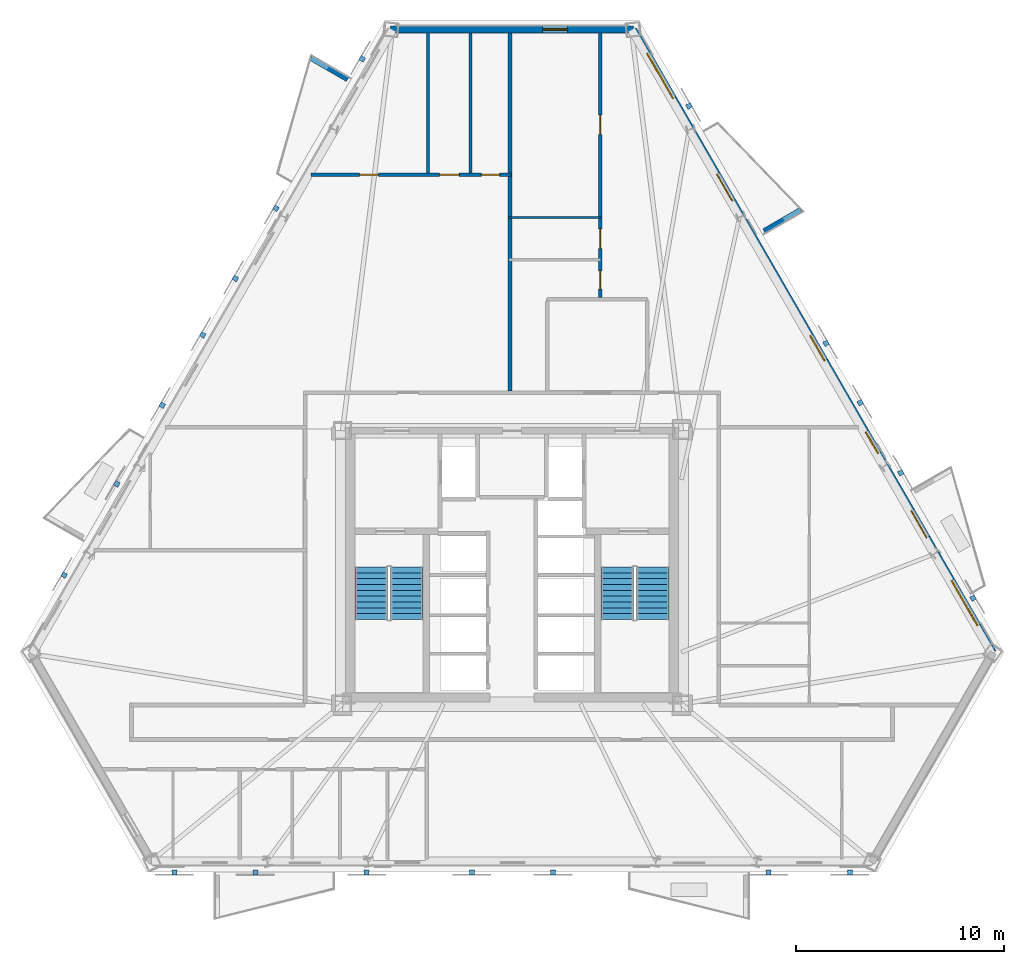
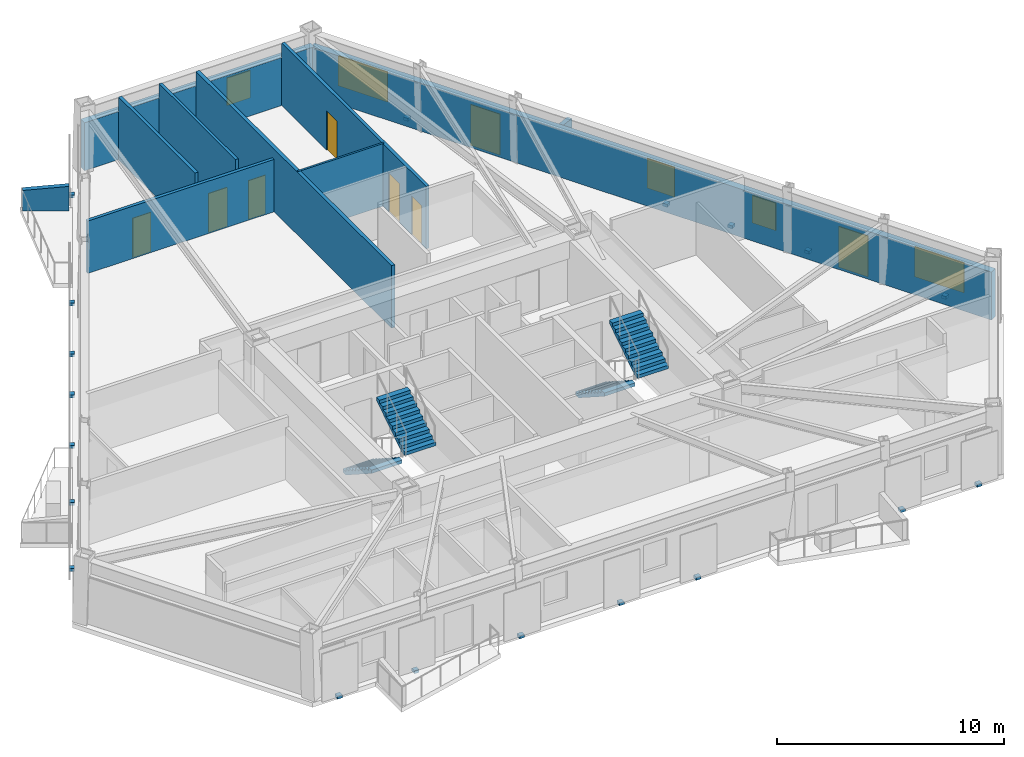
# One storey, part 5 of 9: 19 discrete accessories, 10 walls, 8 doors, 5 windows, 4 stair flights, 13 openings, 2 elements without a shape of their own.
"""IFC4 building model written with IfcOpenShell, lengths in metres."""

from ifc_helpers import new_model, si_unit, direction, frame, frame_2d, origin, origin_2d, place, context, subcontext, project, spatial, polyline, rectangle, outline, extrude, material, layer, layer_set, type_object, element, fill, aggregate, save


model = new_model("IFC4")

# Units and contexts
model_context = context("Model", 3, precision=1e-05, world=origin(), true_north=direction((0.0, 1.0)))
body_context = subcontext(model_context, "Body", "Model", "MODEL_VIEW")
ifc_project = project(units=[si_unit("LENGTHUNIT", "METRE"), si_unit("AREAUNIT", "SQUARE_METRE"), si_unit("VOLUMEUNIT", "CUBIC_METRE"), si_unit("PLANEANGLEUNIT", "RADIAN"), si_unit("MASSUNIT", "GRAM", prefix="KILO")], contexts=[model_context])

# Site, building, storey
site_placement = place(None, origin())
site = spatial("IfcSite", under=ifc_project, at=site_placement, CompositionType="ELEMENT")
building_placement = place(site_placement, origin())
building = spatial("IfcBuilding", under=site, at=building_placement, Name="Oramaril Tower", CompositionType="ELEMENT")
storey_placement = place(building_placement, frame((0.0, 0.0, 104.10009765625)))
storey = spatial("IfcBuildingStorey", under=building, at=storey_placement, Name="L27", CompositionType="ELEMENT", Elevation=104.10009765625)

# Wall, openings, doors, windows
ifc_material_1 = material(Name="Warm Cream Limestone", Category="masonry")
ifc_layer_1 = layer(ifc_material_1, 0.340087890625)
ifc_layer_set_1 = layer_set([ifc_layer_1], Name="WT-EXT34")
wall_type_1 = type_object("IfcWallType", Name="WT-EXT34", PredefinedType="SOLIDWALL", material=ifc_layer_set_1)
wall_1_placement = place(storey_placement, frame((60.634521484375, 13.483154296875, 0.0), z_axis=(0.0, 0.0, 1.0), x_axis=(-0.499998569178, 0.866026229868, 0.0)))
wall_1 = element("IfcWall", 1, at=wall_1_placement, inside=storey, type_object=wall_type_1, Name="L27 Tower Limestone Facade Wall 4M", PredefinedType="SOLIDWALL", context=body_context, shape_type="SweptSolid", body=[
    extrude(rectangle(XDim=34.59521484375, YDim=0.340087890625, at=frame_2d((17.297607421875, 0.0))), origin(), (0.0, 0.0, 1.0), 2.577880859375),
])
opening_1_placement = place(wall_1_placement, frame((6.369384765625, 0.0, 0.0)))
opening_1 = element("IfcOpeningElement", 2, at=opening_1_placement, cuts=wall_1, Name="Opening D-L27-BAL-NE1", PredefinedType="OPENING", context=body_context, shape_type="SweptSolid", body=[
    extrude(rectangle(XDim=1.5, YDim=2.199951171875, at=frame_2d((0.75, 1.10009765625))), frame((0.0, 0.169921875, 0.0), z_axis=(0.0, -1.0, 0.0), x_axis=(1.0, 0.0, 0.0)), (0.0, 0.0, 1.0), 0.340087890625),
])
opening_2_placement = place(wall_1_placement, frame((25.06103515625, 0.0, 0.0)))
opening_2 = element("IfcOpeningElement", 3, at=opening_2_placement, cuts=wall_1, Name="Opening D-L27-BAL-NE2", PredefinedType="OPENING", context=body_context, shape_type="SweptSolid", body=[
    extrude(rectangle(XDim=1.5, YDim=2.199951171875, at=frame_2d((0.75, 1.10009765625))), frame((0.0, 0.169921875, 0.0), z_axis=(0.0, -1.0, 0.0), x_axis=(1.0, 0.0, 0.0)), (0.0, 0.0, 1.0), 0.340087890625),
])
opening_3_placement = place(wall_1_placement, frame((1.48828125, 0.0, 0.85009765625)))
opening_3 = element("IfcOpeningElement", 4, at=opening_3_placement, cuts=wall_1, Name="Opening WN-11", PredefinedType="OPENING", context=body_context, shape_type="SweptSolid", body=[
    extrude(rectangle(XDim=2.5, YDim=1.617919921875, at=frame_2d((1.25, 0.80908203125))), frame((0.0, 0.169921875, 0.0), z_axis=(0.0, -1.0, 0.0), x_axis=(1.0, 0.0, 0.0)), (0.0, 0.0, 1.0), 0.340087890625),
])
opening_4_placement = place(wall_1_placement, frame((11.047119140625, 0.0, 0.85009765625)))
opening_4 = element("IfcOpeningElement", 5, at=opening_4_placement, cuts=wall_1, Name="Opening WN-09", PredefinedType="OPENING", context=body_context, shape_type="SweptSolid", body=[
    extrude(rectangle(XDim=1.199951171875, YDim=1.47998046875, at=frame_2d((0.60009765625, 0.739990234375))), frame((0.0, 0.169921875, 0.0), z_axis=(0.0, -1.0, 0.0), x_axis=(1.0, 0.0, 0.0)), (0.0, 0.0, 1.0), 0.340087890625),
])
opening_5_placement = place(wall_1_placement, frame((16.194091796875, 0.0, 0.85009765625)))
opening_5 = element("IfcOpeningElement", 6, at=opening_5_placement, cuts=wall_1, Name="Opening WN-08", PredefinedType="OPENING", context=body_context, shape_type="SweptSolid", body=[
    extrude(rectangle(XDim=1.39990234375, YDim=1.60009765625, at=frame_2d((0.699951171875, 0.800048828125))), frame((0.0, 0.169921875, 0.0), z_axis=(0.0, -1.0, 0.0), x_axis=(1.0, 0.0, 0.0)), (0.0, 0.0, 1.0), 0.340087890625),
])
opening_6_placement = place(wall_1_placement, frame((30.77197265625, 0.0, 0.85009765625)))
opening_6 = element("IfcOpeningElement", 7, at=opening_6_placement, cuts=wall_1, Name="Opening WN-11", PredefinedType="OPENING", context=body_context, shape_type="SweptSolid", body=[
    extrude(rectangle(XDim=2.5, YDim=1.617919921875, at=frame_2d((1.25, 0.80908203125))), frame((0.0, 0.169921875, 0.0), z_axis=(0.0, -1.0, 0.0), x_axis=(1.0, 0.0, 0.0)), (0.0, 0.0, 1.0), 0.340087890625),
])
ifc_material_2 = material(Name="Anodised Aluminium 6063-T6", Category="aluminium")
door_type_1 = type_object("IfcDoorType", Name="DT-BAL", OperationType="NOTDEFINED", PredefinedType="DOOR", material=ifc_material_2)
door_1_placement = place(opening_1_placement, origin())
door_1 = element("IfcDoor", 8, at=door_1_placement, inside=storey, type_object=door_type_1, Name="L27 Balcony Glazed Door L27-BAL-NE1", OperationType="SINGLE_SWING_RIGHT", OverallHeight=2.199951171875, OverallWidth=1.5, PredefinedType="DOOR", context=body_context, shape_type="SweptSolid", body=[
    extrude(rectangle(XDim=1.5, YDim=2.199951171875, at=frame_2d((0.75, 1.10009765625))), frame((0.0, 0.02490234375, 0.0), z_axis=(0.0, -1.0, 0.0), x_axis=(1.0, 0.0, 0.0)), (0.0, 0.0, 1.0), 0.050048828125),
])
fill(opening_1, door_1)
door_2_placement = place(opening_2_placement, origin())
door_2 = element("IfcDoor", 9, at=door_2_placement, inside=storey, type_object=door_type_1, Name="L27 Balcony Glazed Door L27-BAL-NE2", OperationType="SINGLE_SWING_LEFT", OverallHeight=2.199951171875, OverallWidth=1.5, PredefinedType="DOOR", context=body_context, shape_type="SweptSolid", body=[
    extrude(rectangle(XDim=1.5, YDim=2.199951171875, at=frame_2d((0.75, 1.10009765625))), frame((0.0, 0.02490234375, 0.0), z_axis=(0.0, -1.0, 0.0), x_axis=(1.0, 0.0, 0.0)), (0.0, 0.0, 1.0), 0.050048828125),
])
fill(opening_2, door_2)
ifc_material_3 = material(Name="Coastal Low-E Insulated Glass", Category="glass")
window_type_1 = type_object("IfcWindowType", Name="WNT-08", PartitioningType="SINGLE_PANEL", PredefinedType="WINDOW", material=ifc_material_3)
window_1_placement = place(opening_5_placement, origin())
window_1 = element("IfcWindow", 10, at=window_1_placement, inside=storey, type_object=window_type_1, Name="L27 Chicago Bay Window WN-08", OverallHeight=1.60009765625, OverallWidth=1.39990234375, PartitioningType="SINGLE_PANEL", PredefinedType="WINDOW", context=body_context, shape_type="SweptSolid", body=[
    extrude(rectangle(XDim=1.39990234375, YDim=1.60009765625, at=frame_2d((0.699951171875, 0.800048828125))), frame((0.0, 0.030029296875, 0.0), z_axis=(0.0, -1.0, 0.0), x_axis=(1.0, 0.0, 0.0)), (0.0, 0.0, 1.0), 0.06005859375),
])
fill(opening_5, window_1)
ifc_material_4 = material(Name="Coastal Low-E Insulated Glass", Category="glass")
window_type_2 = type_object("IfcWindowType", Name="WNT-09", PartitioningType="SINGLE_PANEL", PredefinedType="WINDOW", material=ifc_material_4)
window_2_placement = place(opening_4_placement, origin())
window_2 = element("IfcWindow", 11, at=window_2_placement, inside=storey, type_object=window_type_2, Name="L27 Chicago Bay Window WN-09", OverallHeight=1.47998046875, OverallWidth=1.199951171875, PartitioningType="SINGLE_PANEL", PredefinedType="WINDOW", context=body_context, shape_type="SweptSolid", body=[
    extrude(rectangle(XDim=1.199951171875, YDim=1.47998046875, at=frame_2d((0.60009765625, 0.739990234375))), frame((0.0, 0.030029296875, 0.0), z_axis=(0.0, -1.0, 0.0), x_axis=(1.0, 0.0, 0.0)), (0.0, 0.0, 1.0), 0.06005859375),
])
fill(opening_4, window_2)
ifc_material_5 = material(Name="Coastal Low-E Insulated Glass", Category="glass")
window_type_3 = type_object("IfcWindowType", Name="WNT-11", PartitioningType="SINGLE_PANEL", PredefinedType="WINDOW", material=ifc_material_5)
window_3_placement = place(opening_3_placement, origin())
window_3 = element("IfcWindow", 12, at=window_3_placement, inside=storey, type_object=window_type_3, Name="L27 Chicago Bay Window WN-11", OverallHeight=1.617919921875, OverallWidth=2.5, PartitioningType="SINGLE_PANEL", PredefinedType="WINDOW", context=body_context, shape_type="SweptSolid", body=[
    extrude(rectangle(XDim=2.5, YDim=1.617919921875, at=frame_2d((1.25, 0.80908203125))), frame((0.0, 0.030029296875, 0.0), z_axis=(0.0, -1.0, 0.0), x_axis=(1.0, 0.0, 0.0)), (0.0, 0.0, 1.0), 0.06005859375),
])
fill(opening_3, window_3)
window_4_placement = place(opening_6_placement, origin())
window_4 = element("IfcWindow", 13, at=window_4_placement, inside=storey, type_object=window_type_3, Name="L27 Chicago Bay Window WN-11", OverallHeight=1.617919921875, OverallWidth=2.5, PartitioningType="SINGLE_PANEL", PredefinedType="WINDOW", context=body_context, shape_type="SweptSolid", body=[
    extrude(rectangle(XDim=2.5, YDim=1.617919921875, at=frame_2d((1.25, 0.80908203125))), frame((0.0, 0.030029296875, 0.0), z_axis=(0.0, -1.0, 0.0), x_axis=(1.0, 0.0, 0.0)), (0.0, 0.0, 1.0), 0.06005859375),
])
fill(opening_6, window_4)

# Wall, opening, window
wall_2_placement = place(storey_placement, frame((43.3369140625, 43.443603515625, 0.0), z_axis=(0.0, 0.0, 1.0), x_axis=(-1.0, 0.0, 0.0)))
wall_2 = element("IfcWall", 14, at=wall_2_placement, inside=storey, type_object=wall_type_1, Name="L27 Tower Limestone Facade Wall 5M", PredefinedType="SOLIDWALL", context=body_context, shape_type="SweptSolid", body=[
    extrude(rectangle(XDim=11.673828125, YDim=0.340087890625, at=frame_2d((5.8369140625, 0.0))), origin(), (0.0, 0.0, 1.0), 2.577880859375),
])
opening_7_placement = place(wall_2_placement, frame((3.157958984375, 0.0, 0.85009765625)))
opening_7 = element("IfcOpeningElement", 15, at=opening_7_placement, cuts=wall_2, Name="Opening WN-09", PredefinedType="OPENING", context=body_context, shape_type="SweptSolid", body=[
    extrude(rectangle(XDim=1.199951171875, YDim=1.47998046875, at=frame_2d((0.60009765625, 0.739990234375))), frame((0.0, 0.169921875, 0.0), z_axis=(0.0, -1.0, 0.0), x_axis=(1.0, 0.0, 0.0)), (0.0, 0.0, 1.0), 0.340087890625),
])
window_5_placement = place(opening_7_placement, origin())
window_5 = element("IfcWindow", 16, at=window_5_placement, inside=storey, type_object=window_type_2, Name="L27 Apartment Bedroom Window WN-09", OverallHeight=1.47998046875, OverallWidth=1.199951171875, PartitioningType="SINGLE_PANEL", PredefinedType="WINDOW", context=body_context, shape_type="SweptSolid", body=[
    extrude(rectangle(XDim=1.199951171875, YDim=1.47998046875, at=frame_2d((0.60009765625, 0.739990234375))), frame((0.0, 0.030029296875, 0.0), z_axis=(0.0, -1.0, 0.0), x_axis=(1.0, 0.0, 0.0)), (0.0, 0.0, 1.0), 0.06005859375),
])
fill(opening_7, window_5)

# Walls
ifc_material_6 = material(Name="Concrete C40/50", Category="concrete")
ifc_layer_2 = layer(ifc_material_6, 0.22998046875)
ifc_layer_set_2 = layer_set([ifc_layer_2], Name="WT-PRP23")
wall_type_2 = type_object("IfcWallType", Name="WT-PRP23", PredefinedType="PARAPET", material=ifc_layer_set_2)
for number, where, z_axis, x_axis, name in (
    (17, (49.619384765625, 33.7578125, 0.0), (0.0, 0.0, 1.0), (0.866042246008, 0.499970827278, 0.0), "L27 Trapezoidal Balcony Frame Cheek L27-BAL-NE2-L"),
    (18, (29.587890625, 41.04541015625, 0.0), (0.0, 0.0, 1.0), (-0.866012356593, 0.500022597718, 0.0), "L27 Trapezoidal Balcony Frame Cheek L27-BAL-NW1-L"),
):
    element("IfcWall", number, at=place(storey_placement, frame(where, z_axis=z_axis, x_axis=x_axis)), inside=storey, type_object=wall_type_2, Name=name, PredefinedType="PARAPET", context=body_context, shape_type="SweptSolid", body=[
        extrude(outline(polyline([(0.0, 0.0), (2.0419921875, 0.0), (2.0419921875, 1.099853515625), (0.0, 1.31982421875), (0.0, 0.0)])), frame((0.0, 0.114990234375, 0.0), z_axis=(0.0, -1.0, 0.0), x_axis=(1.0, 0.0, 0.0)), (0.0, 0.0, 1.0), 0.22998046875),
    ])
ifc_material_7 = material(Name="Acoustic Gypsum Board Partition")
ifc_layer_3 = layer(ifc_material_7, 0.10009765625)
ifc_layer_set_3 = layer_set([ifc_layer_3], Name="WT-PT10")
wall_type_3 = type_object("IfcWallType", Name="WT-PT10", PredefinedType="PARTITIONING", material=ifc_layer_set_3)
wall_3_placement = place(storey_placement, frame((37.35009765625, 34.409912109375, 0.0), z_axis=(0.0, 0.0, 1.0), x_axis=(1.0, 0.0, 0.0)))
element("IfcWall", 19, at=wall_3_placement, inside=storey, type_object=wall_type_3, Name="L27 Interior Partition PT-10", PredefinedType="PARTITIONING", context=body_context, shape_type="SweptSolid", body=[
    extrude(rectangle(XDim=4.39990234375, YDim=0.10009765625, at=frame_2d((2.199951171875, 0.0))), origin(), (0.0, 0.0, 1.0), 3.35986328125),
])
ifc_material_8 = material(Name="Acoustic Gypsum Board Partition")
ifc_layer_4 = layer(ifc_material_8, 0.139892578125)
ifc_layer_set_4 = layer_set([ifc_layer_4], Name="WT-PT14")
wall_type_4 = type_object("IfcWallType", Name="WT-PT14", PredefinedType="PARTITIONING", material=ifc_layer_set_4)
wall_4_placement = place(storey_placement, frame((35.510009765625, 36.5439453125, 0.0), z_axis=(0.0, 0.0, 1.0), x_axis=(0.0, 1.0, 0.0)))
element("IfcWall", 20, at=wall_4_placement, inside=storey, type_object=wall_type_4, Name="L27 Interior Partition PT-14", PredefinedType="PARTITIONING", context=body_context, shape_type="SweptSolid", body=[
    extrude(rectangle(XDim=6.7255859375, YDim=0.139892578125, at=frame_2d((3.36279296875, 0.0))), origin(), (0.0, 0.0, 1.0), 3.35986328125),
])

# Wall, openings, doors
ifc_material_9 = material(Name="Acoustic Gypsum Board Partition")
ifc_layer_5 = layer(ifc_material_9, 0.159912109375)
ifc_layer_set_5 = layer_set([ifc_layer_5], Name="WT-PT16")
wall_type_5 = type_object("IfcWallType", Name="WT-PT16", PredefinedType="PARTITIONING", material=ifc_layer_set_5)
wall_5_placement = place(storey_placement, frame((27.83203125, 36.4599609375, 0.0), z_axis=(0.0, 0.0, 1.0), x_axis=(1.0, 0.0, 0.0)))
wall_5 = element("IfcWall", 21, at=wall_5_placement, inside=storey, type_object=wall_type_5, Name="L27 Interior Partition PT-16", PredefinedType="PARTITIONING", context=body_context, shape_type="SweptSolid", body=[
    extrude(rectangle(XDim=9.617919921875, YDim=0.159912109375, at=frame_2d((4.80908203125, 0.0))), origin(), (0.0, 0.0, 1.0), 2.81396484375),
])
opening_8_placement = place(wall_5_placement, frame((2.326171875, 0.0, 0.0)))
opening_8 = element("IfcOpeningElement", 22, at=opening_8_placement, cuts=wall_5, Name="Opening D-L27-13", PredefinedType="OPENING", context=body_context, shape_type="SweptSolid", body=[
    extrude(rectangle(XDim=0.919921875, YDim=2.1201171875, at=frame_2d((0.4599609375, 1.06005859375))), frame((0.0, 0.080078125, 0.0), z_axis=(0.0, -1.0, 0.0), x_axis=(1.0, 0.0, 0.0)), (0.0, 0.0, 1.0), 0.159912109375),
])
opening_9_placement = place(wall_5_placement, frame((6.177978515625, 0.0, 0.0)))
opening_9 = element("IfcOpeningElement", 23, at=opening_9_placement, cuts=wall_5, Name="Opening D-L27-14", PredefinedType="OPENING", context=body_context, shape_type="SweptSolid", body=[
    extrude(rectangle(XDim=0.949951171875, YDim=2.10009765625, at=frame_2d((0.47509765625, 1.050048828125))), frame((0.0, 0.080078125, 0.0), z_axis=(0.0, -1.0, 0.0), x_axis=(1.0, 0.0, 0.0)), (0.0, 0.0, 1.0), 0.159912109375),
])
opening_10_placement = place(wall_5_placement, frame((8.197998046875, 0.0, 0.0)))
opening_10 = element("IfcOpeningElement", 24, at=opening_10_placement, cuts=wall_5, Name="Opening D-L27-15", PredefinedType="OPENING", context=body_context, shape_type="SweptSolid", body=[
    extrude(rectangle(XDim=0.8798828125, YDim=2.080078125, at=frame_2d((0.43994140625, 1.0400390625))), frame((0.0, 0.080078125, 0.0), z_axis=(0.0, -1.0, 0.0), x_axis=(1.0, 0.0, 0.0)), (0.0, 0.0, 1.0), 0.159912109375),
])
ifc_material_10 = material(Name="FSC Brazilian Freijo Hardwood", Category="wood")
door_type_2 = type_object("IfcDoorType", Name="DT-BATH", OperationType="NOTDEFINED", PredefinedType="DOOR", material=ifc_material_10)
door_3_placement = place(opening_10_placement, origin())
door_3 = element("IfcDoor", 25, at=door_3_placement, inside=storey, type_object=door_type_2, Name="L27 Flat L27-U5 Bathroom Door D-L27-15", OperationType="SINGLE_SWING_LEFT", OverallHeight=2.080078125, OverallWidth=0.8798828125, PredefinedType="DOOR", context=body_context, shape_type="SweptSolid", body=[
    extrude(rectangle(XDim=0.8798828125, YDim=2.080078125, at=frame_2d((0.43994140625, 1.0400390625))), frame((0.0, 0.02490234375, 0.0), z_axis=(0.0, -1.0, 0.0), x_axis=(1.0, 0.0, 0.0)), (0.0, 0.0, 1.0), 0.050048828125),
])
fill(opening_10, door_3)
ifc_material_11 = material(Name="FSC Brazilian Freijo Hardwood", Category="wood")
door_type_3 = type_object("IfcDoorType", Name="DT-BED", OperationType="NOTDEFINED", PredefinedType="DOOR", material=ifc_material_11)
door_4_placement = place(opening_8_placement, origin())
door_4 = element("IfcDoor", 26, at=door_4_placement, inside=storey, type_object=door_type_3, Name="L27 Flat L27-U5 Master Bedroom Door D-L27-13", OperationType="SINGLE_SWING_LEFT", OverallHeight=2.1201171875, OverallWidth=0.919921875, PredefinedType="DOOR", context=body_context, shape_type="SweptSolid", body=[
    extrude(rectangle(XDim=0.919921875, YDim=2.1201171875, at=frame_2d((0.4599609375, 1.06005859375))), frame((0.0, 0.02490234375, 0.0), z_axis=(0.0, -1.0, 0.0), x_axis=(1.0, 0.0, 0.0)), (0.0, 0.0, 1.0), 0.050048828125),
])
fill(opening_8, door_4)
ifc_material_12 = material(Name="FSC Brazilian Freijo Hardwood", Category="wood")
door_type_4 = type_object("IfcDoorType", Name="DT-STDY", OperationType="NOTDEFINED", PredefinedType="DOOR", material=ifc_material_12)
door_5_placement = place(opening_9_placement, origin())
door_5 = element("IfcDoor", 27, at=door_5_placement, inside=storey, type_object=door_type_4, Name="L27 Flat L27-U5 Kitchen Door D-L27-14", OperationType="SINGLE_SWING_RIGHT", OverallHeight=2.10009765625, OverallWidth=0.949951171875, PredefinedType="DOOR", context=body_context, shape_type="SweptSolid", body=[
    extrude(rectangle(XDim=0.949951171875, YDim=2.10009765625, at=frame_2d((0.47509765625, 1.050048828125))), frame((0.0, 0.02490234375, 0.0), z_axis=(0.0, -1.0, 0.0), x_axis=(1.0, 0.0, 0.0)), (0.0, 0.0, 1.0), 0.050048828125),
])
fill(opening_9, door_5)

# Wall
wall_6_placement = place(storey_placement, frame((33.4599609375, 36.5439453125, 0.0), z_axis=(0.0, 0.0, 1.0), x_axis=(0.0, 1.0, 0.0)))
element("IfcWall", 28, at=wall_6_placement, inside=storey, type_object=wall_type_5, Name="L27 Interior Partition PT-16", PredefinedType="PARTITIONING", context=body_context, shape_type="SweptSolid", body=[
    extrude(rectangle(XDim=6.7255859375, YDim=0.159912109375, at=frame_2d((3.36279296875, 0.0))), origin(), (0.0, 0.0, 1.0), 3.35986328125),
])

# Wall, openings, doors
wall_7_placement = place(storey_placement, frame((41.75, 30.56396484375, 0.0), z_axis=(0.0, 0.0, 1.0), x_axis=(0.0, 1.0, 0.0)))
wall_7 = element("IfcWall", 29, at=wall_7_placement, inside=storey, type_object=wall_type_5, Name="L27 Interior Partition PT-16", PredefinedType="PARTITIONING", context=body_context, shape_type="SweptSolid", body=[
    extrude(rectangle(XDim=12.70556640625, YDim=0.159912109375, at=frame_2d((6.352783203125, 0.0))), origin(), (0.0, 0.0, 1.0), 3.35986328125),
])
opening_11_placement = place(wall_7_placement, frame((0.39599609375, 0.0, 0.0)))
opening_11 = element("IfcOpeningElement", 30, at=opening_11_placement, cuts=wall_7, Name="Opening D-L27-18", PredefinedType="OPENING", context=body_context, shape_type="SweptSolid", body=[
    extrude(rectangle(XDim=0.8798828125, YDim=2.080078125, at=frame_2d((0.43994140625, 1.0400390625))), frame((0.0, 0.080078125, 0.0), z_axis=(0.0, -1.0, 0.0), x_axis=(1.0, 0.0, 0.0)), (0.0, 0.0, 1.0), 0.159912109375),
])
opening_12_placement = place(wall_7_placement, frame((2.345947265625, 0.0, 0.0)))
opening_12 = element("IfcOpeningElement", 31, at=opening_12_placement, cuts=wall_7, Name="Opening D-L27-19", PredefinedType="OPENING", context=body_context, shape_type="SweptSolid", body=[
    extrude(rectangle(XDim=0.949951171875, YDim=2.10009765625, at=frame_2d((0.47509765625, 1.050048828125))), frame((0.0, 0.080078125, 0.0), z_axis=(0.0, -1.0, 0.0), x_axis=(1.0, 0.0, 0.0)), (0.0, 0.0, 1.0), 0.159912109375),
])
opening_13_placement = place(wall_7_placement, frame((7.8427734375, 0.0, 0.0)))
opening_13 = element("IfcOpeningElement", 32, at=opening_13_placement, cuts=wall_7, Name="Opening D-L27-20", PredefinedType="OPENING", context=body_context, shape_type="SweptSolid", body=[
    extrude(rectangle(XDim=0.919921875, YDim=2.1201171875, at=frame_2d((0.4599609375, 1.06005859375))), frame((0.0, 0.080078125, 0.0), z_axis=(0.0, -1.0, 0.0), x_axis=(1.0, 0.0, 0.0)), (0.0, 0.0, 1.0), 0.159912109375),
])
door_6_placement = place(opening_11_placement, origin())
door_6 = element("IfcDoor", 33, at=door_6_placement, inside=storey, type_object=door_type_2, Name="L27 Flat L27-U6 Bathroom Door D-L27-18", OperationType="SINGLE_SWING_RIGHT", OverallHeight=2.080078125, OverallWidth=0.8798828125, PredefinedType="DOOR", context=body_context, shape_type="SweptSolid", body=[
    extrude(rectangle(XDim=0.8798828125, YDim=2.080078125, at=frame_2d((0.43994140625, 1.0400390625))), frame((0.0, 0.02490234375, 0.0), z_axis=(0.0, -1.0, 0.0), x_axis=(1.0, 0.0, 0.0)), (0.0, 0.0, 1.0), 0.050048828125),
])
fill(opening_11, door_6)
door_7_placement = place(opening_13_placement, origin())
door_7 = element("IfcDoor", 34, at=door_7_placement, inside=storey, type_object=door_type_3, Name="L27 Flat L27-U6 Master Bedroom Door D-L27-20", OperationType="SINGLE_SWING_RIGHT", OverallHeight=2.1201171875, OverallWidth=0.919921875, PredefinedType="DOOR", context=body_context, shape_type="SweptSolid", body=[
    extrude(rectangle(XDim=0.919921875, YDim=2.1201171875, at=frame_2d((0.4599609375, 1.06005859375))), frame((0.0, 0.02490234375, 0.0), z_axis=(0.0, -1.0, 0.0), x_axis=(1.0, 0.0, 0.0)), (0.0, 0.0, 1.0), 0.050048828125),
])
fill(opening_13, door_7)
door_8_placement = place(opening_12_placement, origin())
door_8 = element("IfcDoor", 35, at=door_8_placement, inside=storey, type_object=door_type_4, Name="L27 Flat L27-U6 Kitchen Door D-L27-19", OperationType="SINGLE_SWING_LEFT", OverallHeight=2.10009765625, OverallWidth=0.949951171875, PredefinedType="DOOR", context=body_context, shape_type="SweptSolid", body=[
    extrude(rectangle(XDim=0.949951171875, YDim=2.10009765625, at=frame_2d((0.47509765625, 1.050048828125))), frame((0.0, 0.02490234375, 0.0), z_axis=(0.0, -1.0, 0.0), x_axis=(1.0, 0.0, 0.0)), (0.0, 0.0, 1.0), 0.050048828125),
])
fill(opening_12, door_8)

# Wall
ifc_material_13 = material(Name="Autoclaved Cellular Concrete Block", Category="concrete")
ifc_layer_6 = layer(ifc_material_13, 0.179931640625)
ifc_layer_set_6 = layer_set([ifc_layer_6], Name="WT-PT18")
wall_type_6 = type_object("IfcWallType", Name="WT-PT18", PredefinedType="PARTITIONING", material=ifc_layer_set_6)
wall_8_placement = place(storey_placement, frame((37.39990234375, 26.06396484375, 0.0), z_axis=(0.0, 0.0, 1.0), x_axis=(0.0, 1.0, 0.0)))
element("IfcWall", 36, at=wall_8_placement, inside=storey, type_object=wall_type_6, Name="L27 Interior Partition PT-18", PredefinedType="PARTITIONING", context=body_context, shape_type="SweptSolid", body=[
    extrude(rectangle(XDim=17.20556640625, YDim=0.179931640625, at=frame_2d((8.602783203125, 0.0))), origin(), (0.0, 0.0, 1.0), 3.35986328125),
])

# Stair, stair flights
ifc_material_14 = material(Name="Concrete C50/60", Category="concrete")
stair_type = type_object("IfcStairType", Name="STT-DG-3600", PredefinedType="HALF_TURN_STAIR", material=ifc_material_14)
stair_1_placement = place(storey_placement, origin())
stair_1 = element("IfcStair", 37, at=stair_1_placement, inside=storey, type_object=stair_type, Name="L27 Protected PFP Exit Stair ST-1", PredefinedType="HALF_TURN_STAIR")
ifc_material_15 = material(Name="Concrete C50/60", Category="concrete")
stair_flight_type = type_object("IfcStairFlightType", Name="SFT-DG-3600", PredefinedType="STRAIGHT", material=ifc_material_15)
stair_flight_1_placement = place(storey_placement, frame((30.72998046875, 17.590087890625, 0.0), z_axis=(0.0, 0.0, 1.0), x_axis=(0.0, -1.0, 0.0)))
stair_flight_1 = element("IfcStairFlight", 38, at=stair_flight_1_placement, type_object=stair_flight_type, Name="ST-1 flight 1", NumberOfRisers=10, NumberOfTreads=9, PredefinedType="STRAIGHT", RiserHeight=0.18, TreadLength=0.28, context=body_context, shape_type="SweptSolid", body=[
    extrude(outline(polyline([(0.0, 0.0), (0.0, 0.179931640625), (0.280029296875, 0.179931640625), (0.280029296875, 0.360107421875), (0.56005859375, 0.360107421875), (0.56005859375, 0.5400390625), (0.840087890625, 0.5400390625), (0.840087890625, 0.719970703125), (1.1201171875, 0.719970703125), (1.1201171875, 0.89990234375), (1.39990234375, 0.89990234375), (1.39990234375, 1.080078125), (1.679931640625, 1.080078125), (1.679931640625, 1.260009765625), (1.9599609375, 1.260009765625), (1.9599609375, 1.43994140625), (2.239990234375, 1.43994140625), (2.239990234375, 1.6201171875), (2.52001953125, 1.6201171875), (2.52001953125, 1.800048828125), (2.52001953125, 1.44189453125), (0.277099609375, 0.0), (0.0, 0.0)])), frame((0.0, 0.780029296875, 0.0), z_axis=(0.0, -1.0, 0.0), x_axis=(1.0, 0.0, 0.0)), (0.0, 0.0, 1.0), 1.56005859375),
])
stair_flight_2_placement = place(storey_placement, frame((32.43994140625, 15.070068359375, 1.7998046875), z_axis=(0.0, 0.0, 1.0), x_axis=(0.0, 1.0, 0.0)))
stair_flight_2 = element("IfcStairFlight", 39, at=stair_flight_2_placement, type_object=stair_flight_type, Name="ST-1 flight 2", NumberOfRisers=10, NumberOfTreads=9, PredefinedType="STRAIGHT", RiserHeight=0.18, TreadLength=0.28, context=body_context, shape_type="SweptSolid", body=[
    extrude(outline(polyline([(0.0, 0.0), (0.0, 0.179931640625), (0.280029296875, 0.179931640625), (0.280029296875, 0.360107421875), (0.56005859375, 0.360107421875), (0.56005859375, 0.5400390625), (0.840087890625, 0.5400390625), (0.840087890625, 0.719970703125), (1.1201171875, 0.719970703125), (1.1201171875, 0.89990234375), (1.39990234375, 0.89990234375), (1.39990234375, 1.080078125), (1.679931640625, 1.080078125), (1.679931640625, 1.260009765625), (1.9599609375, 1.260009765625), (1.9599609375, 1.43994140625), (2.239990234375, 1.43994140625), (2.239990234375, 1.6201171875), (2.52001953125, 1.6201171875), (2.52001953125, 1.800048828125), (2.52001953125, 1.44189453125), (0.277099609375, 0.0), (0.0, 0.0)])), frame((0.0, 0.780029296875, 0.0), z_axis=(0.0, -1.0, 0.0), x_axis=(1.0, 0.0, 0.0)), (0.0, 0.0, 1.0), 1.56005859375),
])
aggregate(stair_1, [stair_flight_1, stair_flight_2])

stair_2_placement = place(storey_placement, origin())
stair_2 = element("IfcStair", 40, at=stair_2_placement, inside=storey, type_object=stair_type, Name="L27 Protected PFP Exit Stair ST-2", PredefinedType="HALF_TURN_STAIR")
stair_flight_3_placement = place(storey_placement, frame((42.56005859375, 17.590087890625, 0.0), z_axis=(0.0, 0.0, 1.0), x_axis=(0.0, -1.0, 0.0)))
stair_flight_3 = element("IfcStairFlight", 41, at=stair_flight_3_placement, type_object=stair_flight_type, Name="ST-2 flight 1", NumberOfRisers=10, NumberOfTreads=9, PredefinedType="STRAIGHT", RiserHeight=0.18, TreadLength=0.28, context=body_context, shape_type="SweptSolid", body=[
    extrude(outline(polyline([(0.0, 0.0), (0.0, 0.179931640625), (0.280029296875, 0.179931640625), (0.280029296875, 0.360107421875), (0.56005859375, 0.360107421875), (0.56005859375, 0.5400390625), (0.840087890625, 0.5400390625), (0.840087890625, 0.719970703125), (1.1201171875, 0.719970703125), (1.1201171875, 0.89990234375), (1.39990234375, 0.89990234375), (1.39990234375, 1.080078125), (1.679931640625, 1.080078125), (1.679931640625, 1.260009765625), (1.9599609375, 1.260009765625), (1.9599609375, 1.43994140625), (2.239990234375, 1.43994140625), (2.239990234375, 1.6201171875), (2.52001953125, 1.6201171875), (2.52001953125, 1.800048828125), (2.52001953125, 1.44189453125), (0.277099609375, 0.0), (0.0, 0.0)])), frame((0.0, 0.780029296875, 0.0), z_axis=(0.0, -1.0, 0.0), x_axis=(1.0, 0.0, 0.0)), (0.0, 0.0, 1.0), 1.56005859375),
])
stair_flight_4_placement = place(storey_placement, frame((44.27001953125, 15.070068359375, 1.7998046875), z_axis=(0.0, 0.0, 1.0), x_axis=(0.0, 1.0, 0.0)))
stair_flight_4 = element("IfcStairFlight", 42, at=stair_flight_4_placement, type_object=stair_flight_type, Name="ST-2 flight 2", NumberOfRisers=10, NumberOfTreads=9, PredefinedType="STRAIGHT", RiserHeight=0.18, TreadLength=0.28, context=body_context, shape_type="SweptSolid", body=[
    extrude(outline(polyline([(0.0, 0.0), (0.0, 0.179931640625), (0.280029296875, 0.179931640625), (0.280029296875, 0.360107421875), (0.56005859375, 0.360107421875), (0.56005859375, 0.5400390625), (0.840087890625, 0.5400390625), (0.840087890625, 0.719970703125), (1.1201171875, 0.719970703125), (1.1201171875, 0.89990234375), (1.39990234375, 0.89990234375), (1.39990234375, 1.080078125), (1.679931640625, 1.080078125), (1.679931640625, 1.260009765625), (1.9599609375, 1.260009765625), (1.9599609375, 1.43994140625), (2.239990234375, 1.43994140625), (2.239990234375, 1.6201171875), (2.52001953125, 1.6201171875), (2.52001953125, 1.800048828125), (2.52001953125, 1.44189453125), (0.277099609375, 0.0), (0.0, 0.0)])), frame((0.0, 0.780029296875, 0.0), z_axis=(0.0, -1.0, 0.0), x_axis=(1.0, 0.0, 0.0)), (0.0, 0.0, 1.0), 1.56005859375),
])
aggregate(stair_2, [stair_flight_3, stair_flight_4])

# Discrete accessories
for number, where, z_axis, x_axis, name in (
    (43, (35.57275390625, 2.893310546875, -0.14013671875), (0.0, 0.0, 1.0), (1.0, 0.0, 0.0), "L27 Solar Screen Slab Bracket"),
    (44, (39.472900390625, 2.893310546875, -0.14013671875), (0.0, 0.0, 1.0), (1.0, 0.0, 0.0), "L27 Solar Screen Slab Bracket"),
    (45, (49.84765625, 2.893310546875, -0.14013671875), (0.0, 0.0, 1.0), (1.0, 0.0, 0.0), "L27 Solar Screen Slab Bracket"),
    (46, (53.747802734375, 2.893310546875, -0.14013671875), (0.0, 0.0, 1.0), (1.0, 0.0, 0.0), "L27 Solar Screen Slab Bracket"),
    (47, (21.254150390625, 2.893310546875, -0.14013671875), (0.0, 0.0, 1.0), (1.0, 0.0, 0.0), "L27 Solar Screen Slab Bracket"),
    (48, (25.154052734375, 2.893310546875, -0.14013671875), (0.0, 0.0, 1.0), (1.0, 0.0, 0.0), "L27 Solar Screen Slab Bracket"),
    (49, (30.5048828125, 2.893310546875, -0.14013671875), (0.0, 0.0, 1.0), (1.0, 0.0, 0.0), "L27 Solar Screen Slab Bracket"),
    (50, (59.68115234375, 16.094482421875, -0.14013671875), (0.0, 0.0, 1.0), (-0.5, 0.866025403784, 0.0), "L27 Solar Screen Slab Bracket"),
    (51, (56.20166015625, 22.12109375, -0.14013671875), (0.0, 0.0, 1.0), (-0.5, 0.866025403784, 0.0), "L27 Solar Screen Slab Bracket"),
    (52, (54.251708984375, 25.49853515625, -0.14013671875), (0.0, 0.0, 1.0), (-0.5, 0.866025403784, 0.0), "L27 Solar Screen Slab Bracket"),
    (53, (52.603271484375, 28.35400390625, -0.14013671875), (0.0, 0.0, 1.0), (-0.5, 0.866025403784, 0.0), "L27 Solar Screen Slab Bracket"),
    (54, (46.014404296875, 39.76611328125, -0.14013671875), (0.0, 0.0, 1.0), (-0.5, 0.866025403784, 0.0), "L27 Solar Screen Slab Bracket"),
    (55, (15.95849609375, 17.202392578125, -0.14013671875), (0.0, 0.0, 1.0), (-0.5, -0.866025403784, 0.0), "L27 Solar Screen Slab Bracket"),
    (56, (18.4921875, 21.591064453125, -0.14013671875), (0.0, 0.0, 1.0), (-0.5, -0.866025403784, 0.0), "L27 Solar Screen Slab Bracket"),
    (57, (26.14453125, 34.84521484375, -0.14013671875), (0.0, 0.0, 1.0), (-0.5, -0.866025403784, 0.0), "L27 Solar Screen Slab Bracket"),
    (58, (24.194580078125, 31.4677734375, -0.14013671875), (0.0, 0.0, 1.0), (-0.5, -0.866025403784, 0.0), "L27 Solar Screen Slab Bracket"),
    (59, (22.625732421875, 28.75048828125, -0.14013671875), (0.0, 0.0, 1.0), (-0.5, -0.866025403784, 0.0), "L27 Solar Screen Slab Bracket"),
    (60, (20.67578125, 25.373046875, -0.14013671875), (0.0, 0.0, 1.0), (-0.5, -0.866025403784, 0.0), "L27 Solar Screen Slab Bracket"),
    (61, (30.29443359375, 42.033203125, -0.14013671875), (0.0, 0.0, 1.0), (-0.5, -0.866025403784, 0.0), "L27 Solar Screen Slab Bracket"),
):
    element("IfcDiscreteAccessory", number, at=place(storey_placement, frame(where, z_axis=z_axis, x_axis=x_axis)), inside=storey, Name=name, PredefinedType="BRACKET", context=body_context, shape_type="SweptSolid", body=[
        extrude(rectangle(XDim=0.239990234375, YDim=0.239990234375, at=origin_2d()), origin(), (0.0, 0.0, 1.0), 0.159912109375),
    ])

save(model, "model.ifc")
